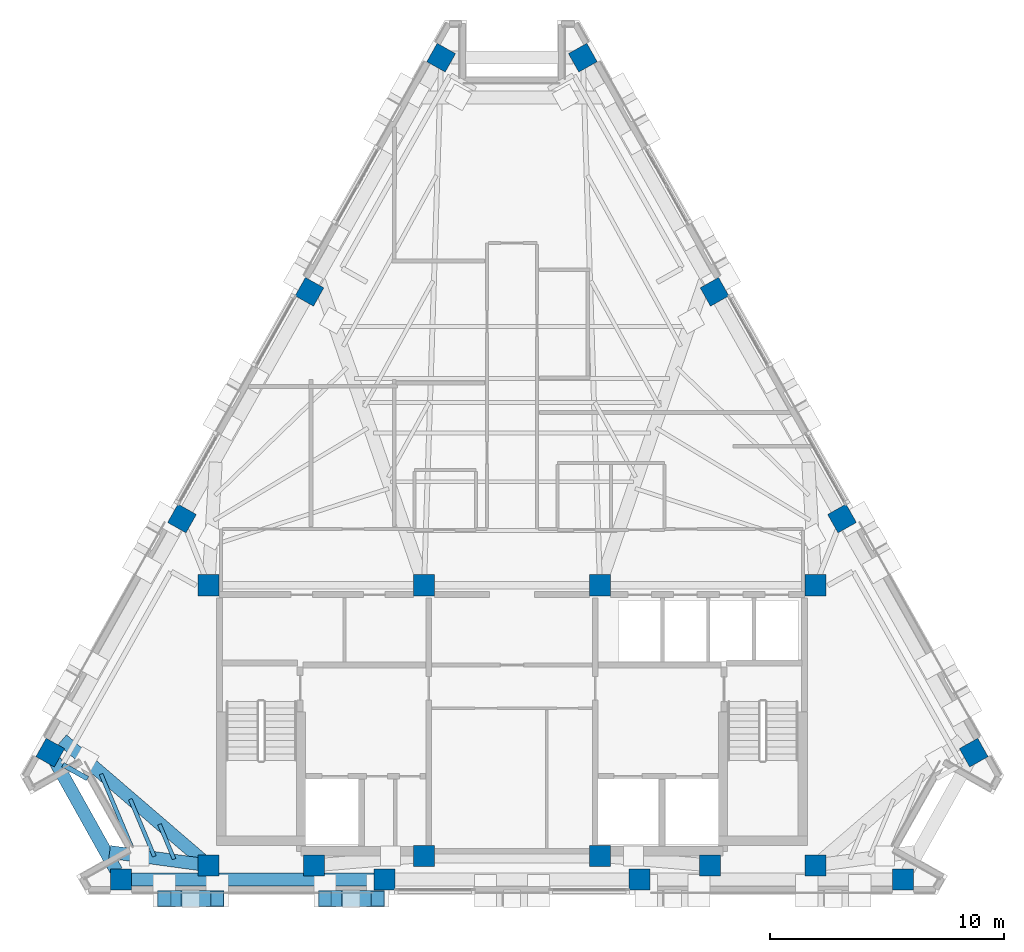
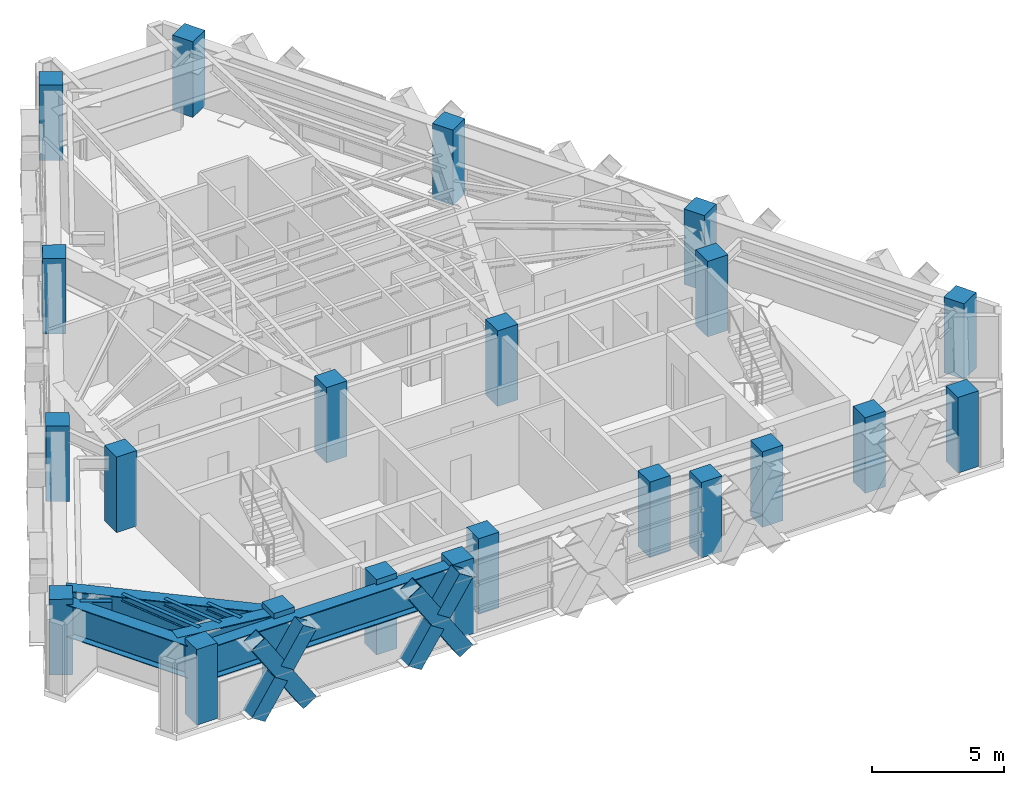
# One storey, part 1 of 13: 22 columns, 8 beams, 6 members.
"""IFC4 building model written with IfcOpenShell, lengths in metres."""

from ifc_helpers import new_model, si_unit, direction, frame, origin, origin_2d, place, context, subcontext, project, spatial, rectangle, hollow_rectangle, i_section, extrude, material, material_profile, profile_set, type_object, element, save


model = new_model("IFC4")

# Units and contexts
model_context = context("Model", 3, precision=1e-05, world=origin(), true_north=direction((0.0, 1.0)))
body_context = subcontext(model_context, "Body", "Model", "MODEL_VIEW")
ifc_project = project(units=[si_unit("LENGTHUNIT", "METRE"), si_unit("AREAUNIT", "SQUARE_METRE"), si_unit("VOLUMEUNIT", "CUBIC_METRE"), si_unit("PLANEANGLEUNIT", "RADIAN"), si_unit("MASSUNIT", "GRAM", prefix="KILO")], contexts=[model_context])

# Site, building, storey
site_placement = place(None, origin())
site = spatial("IfcSite", under=ifc_project, at=site_placement, CompositionType="ELEMENT")
building_placement = place(site_placement, origin())
building = spatial("IfcBuilding", under=site, at=building_placement, Name="Quenlor Broadcast Tower", CompositionType="ELEMENT")
storey_placement = place(building_placement, frame((0.0, 0.0, 225.39990234375)))
storey = spatial("IfcBuildingStorey", under=building, at=storey_placement, Name="L62", CompositionType="ELEMENT", Elevation=225.39990234375)

# Columns
ifc_material_1 = material(Name="Concrete C50/60", Category="concrete")
ifc_material_profile_1 = material_profile(ifc_material_1, rectangle(XDim=0.89990234375, YDim=0.89990234375, at=origin_2d()))
ifc_profile_set_1 = profile_set([ifc_material_profile_1], Name="Concrete C50/60 RC900x900")
column_type_1 = type_object("IfcColumnType", Name="Core Corner Column Upper Concrete C50/60 900", PredefinedType="COLUMN", material=ifc_profile_set_1)
for number, where, z_axis, x_axis, name in (
    (1, (-12.949951171875, -16.75, 0.0), (0.0, 0.0, 1.0), (1.0, 0.0, 0.0), "L62 Core Column CC1"),
    (2, (-8.449951171875, -16.75, 0.0), (0.0, 0.0, 1.0), (1.0, 0.0, 0.0), "L62 Core Column CC2"),
    (3, (-3.75, -16.35009765625, 0.0), (0.0, 0.0, 1.0), (1.0, 0.0, 0.0), "L62 Core Column CC3"),
    (4, (3.75, -16.35009765625, 0.0), (0.0, 0.0, 1.0), (1.0, 0.0, 0.0), "L62 Core Column CC4"),
    (5, (8.449951171875, -16.75, 0.0), (0.0, 0.0, 1.0), (1.0, 0.0, 0.0), "L62 Core Column CC5"),
    (6, (12.949951171875, -16.75, 0.0), (0.0, 0.0, 1.0), (1.0, 0.0, 0.0), "L62 Core Column CC6"),
    (7, (-12.949951171875, -4.800048828125, 0.0), (0.0, 0.0, 1.0), (1.0, 0.0, 0.0), "L62 Core Column CC7"),
    (8, (-3.75, -4.800048828125, 0.0), (0.0, 0.0, 1.0), (1.0, 0.0, 0.0), "L62 Core Column CC8"),
    (9, (3.75, -4.800048828125, 0.0), (0.0, 0.0, 1.0), (1.0, 0.0, 0.0), "L62 Core Column CC9"),
    (10, (12.949951171875, -4.800048828125, 0.0), (0.0, 0.0, 1.0), (1.0, 0.0, 0.0), "L62 Core Column CC10"),
):
    element("IfcColumn", number, at=place(storey_placement, frame(where, z_axis=z_axis, x_axis=x_axis)), inside=storey, type_object=column_type_1, Name=name, PredefinedType="COLUMN", context=body_context, shape_type="SweptSolid", body=[
        extrude(rectangle(XDim=0.89990234375, YDim=0.89990234375, at=origin_2d()), origin(), (0.0, 0.0, 1.0), 3.5),
    ])
ifc_material_2 = material(Name="Concrete C50/60", Category="concrete")
ifc_material_profile_2 = material_profile(ifc_material_2, rectangle(XDim=0.89990234375, YDim=0.89990234375, at=origin_2d()))
ifc_profile_set_2 = profile_set([ifc_material_profile_2], Name="Concrete C50/60 RC900x900")
column_type_2 = type_object("IfcColumnType", Name="Tower Perimeter Column Z4 Concrete C50/60 900", PredefinedType="COLUMN", material=ifc_profile_set_2)
for number, where, z_axis, x_axis, name in (
    (11, (-16.67578125, -17.35009765625, 0.0), (0.0, 0.0, 1.0), (0.0, 1.0, 0.0), "L62 Perimeter Column S1"),
    (12, (-5.437744140625, -17.35009765625, 0.0), (0.0, 0.0, 1.0), (0.0, 1.0, 0.0), "L62 Perimeter Column S2"),
    (13, (5.437744140625, -17.35009765625, 0.0), (0.0, 0.0, 1.0), (0.0, 1.0, 0.0), "L62 Perimeter Column S3"),
    (14, (16.67578125, -17.35009765625, 0.0), (0.0, 0.0, 1.0), (0.0, 1.0, 0.0), "L62 Perimeter Column S4"),
    (15, (19.696533203125, -11.941650390625, 0.0), (0.0, 0.0, 1.0), (0.871575139605, 0.490261946333, 0.0), "L62 Perimeter Column NE1"),
    (16, (14.077392578125, -1.952392578125, 0.0), (0.0, 0.0, 1.0), (0.871575139605, 0.490261946333, 0.0), "L62 Perimeter Column NE2"),
    (17, (8.6396484375, 7.71484375, 0.0), (0.0, 0.0, 1.0), (0.871575139605, 0.490261946333, 0.0), "L62 Perimeter Column NE3"),
    (18, (3.0205078125, 17.704345703125, 0.0), (0.0, 0.0, 1.0), (0.871575139605, 0.490261946333, 0.0), "L62 Perimeter Column NE4"),
    (19, (-3.0205078125, 17.704345703125, 0.0), (0.0, 0.0, 1.0), (-0.871575139605, 0.490261946333, 0.0), "L62 Perimeter Column NW1"),
    (20, (-8.6396484375, 7.71484375, 0.0), (0.0, 0.0, 1.0), (-0.871575139605, 0.490261946333, 0.0), "L62 Perimeter Column NW2"),
    (21, (-14.077392578125, -1.952392578125, 0.0), (0.0, 0.0, 1.0), (-0.871575139605, 0.490261946333, 0.0), "L62 Perimeter Column NW3"),
    (22, (-19.696533203125, -11.941650390625, 0.0), (0.0, 0.0, 1.0), (-0.871575139605, 0.490261946333, 0.0), "L62 Perimeter Column NW4"),
):
    element("IfcColumn", number, at=place(storey_placement, frame(where, z_axis=z_axis, x_axis=x_axis)), inside=storey, type_object=column_type_2, Name=name, PredefinedType="COLUMN", context=body_context, shape_type="SweptSolid", body=[
        extrude(rectangle(XDim=0.89990234375, YDim=0.89990234375, at=origin_2d()), origin(), (0.0, 0.0, 1.0), 3.5),
    ])

# Members
ifc_material_3 = material(Name="Steel S355", Category="steel")
ifc_material_profile_3 = material_profile(ifc_material_3, hollow_rectangle(XDim=0.679931640625, YDim=0.679931640625, WallThickness=0.02490234375, at=origin_2d()))
ifc_profile_set_3 = profile_set([ifc_material_profile_3], Name="Steel S355 RHS680x680x25")
member_type = type_object("IfcMemberType", Name="Perimeter Diagonal Lattice Brace Z3-Z4 Steel S355 RHS680x25", PredefinedType="BRACE", material=ifc_profile_set_3)
member_1_placement = place(storey_placement, frame((-5.722412109375, -18.169921875, -0.119873046875), z_axis=(-0.541794306908, 0.0, 0.840511111766), x_axis=(0.0, -1.0, 0.0)))
element("IfcMember", 23, at=member_1_placement, inside=storey, type_object=member_type, Name="L62 Perimeter Diamond Lattice S-C4XA", PredefinedType="BRACE", context=body_context, shape_type="SweptSolid", body=[
    extrude(hollow_rectangle(XDim=0.679931640625, YDim=0.679931640625, WallThickness=0.02490234375, at=origin_2d()), origin(), (0.0, 0.0, 1.0), 4.1640625),
])
member_2_placement = place(storey_placement, frame((-7.978515625, -18.169921875, -0.119873046875), z_axis=(0.54184151587, 0.0, 0.840480678945), x_axis=(0.0, 1.0, 0.0)))
element("IfcMember", 24, at=member_2_placement, inside=storey, type_object=member_type, Name="L62 Perimeter Diamond Lattice S-C4XB1", PredefinedType="BRACE", context=body_context, shape_type="SweptSolid", body=[
    extrude(hollow_rectangle(XDim=0.679931640625, YDim=0.679931640625, WallThickness=0.02490234375, at=origin_2d()), origin(), (0.0, 0.0, 1.0), 1.83203125),
])
member_3_placement = place(storey_placement, frame((-6.715087890625, -18.169921875, 1.840087890625), z_axis=(0.541780832962, 0.0, 0.840519796932), x_axis=(0.0, 1.0, 0.0)))
element("IfcMember", 25, at=member_3_placement, inside=storey, type_object=member_type, Name="L62 Perimeter Diamond Lattice S-C4XB2", PredefinedType="BRACE", context=body_context, shape_type="SweptSolid", body=[
    extrude(hollow_rectangle(XDim=0.679931640625, YDim=0.679931640625, WallThickness=0.02490234375, at=origin_2d()), origin(), (0.0, 0.0, 1.0), 1.832275390625),
])
member_4_placement = place(storey_placement, frame((-12.57275390625, -18.169921875, -0.119873046875), z_axis=(-0.541794306908, 0.0, 0.840511111766), x_axis=(0.0, -1.0, 0.0)))
element("IfcMember", 26, at=member_4_placement, inside=storey, type_object=member_type, Name="L62 Perimeter Diamond Lattice S-C5XA", PredefinedType="BRACE", context=body_context, shape_type="SweptSolid", body=[
    extrude(hollow_rectangle(XDim=0.679931640625, YDim=0.679931640625, WallThickness=0.02490234375, at=origin_2d()), origin(), (0.0, 0.0, 1.0), 4.1640625),
])
member_5_placement = place(storey_placement, frame((-14.828857421875, -18.169921875, -0.119873046875), z_axis=(0.54184151587, 0.0, 0.840480678945), x_axis=(0.0, 1.0, 0.0)))
element("IfcMember", 27, at=member_5_placement, inside=storey, type_object=member_type, Name="L62 Perimeter Diamond Lattice S-C5XB1", PredefinedType="BRACE", context=body_context, shape_type="SweptSolid", body=[
    extrude(hollow_rectangle(XDim=0.679931640625, YDim=0.679931640625, WallThickness=0.02490234375, at=origin_2d()), origin(), (0.0, 0.0, 1.0), 1.83203125),
])
member_6_placement = place(storey_placement, frame((-13.5654296875, -18.169921875, 1.840087890625), z_axis=(0.541780832962, 0.0, 0.840519796932), x_axis=(0.0, 1.0, 0.0)))
element("IfcMember", 28, at=member_6_placement, inside=storey, type_object=member_type, Name="L62 Perimeter Diamond Lattice S-C5XB2", PredefinedType="BRACE", context=body_context, shape_type="SweptSolid", body=[
    extrude(hollow_rectangle(XDim=0.679931640625, YDim=0.679931640625, WallThickness=0.02490234375, at=origin_2d()), origin(), (0.0, 0.0, 1.0), 1.832275390625),
])

# Beams
ifc_material_4 = material(Name="Steel S355", Category="steel")
ifc_material_profile_4 = material_profile(ifc_material_4, i_section(OverallWidth=0.208984375, OverallDepth=0.532958984375, WebThickness=0.01025390625, FlangeThickness=0.015625, FilletRadius=0.013916015625, at=origin_2d()))
ifc_profile_set_4 = profile_set([ifc_material_profile_4], Name="Steel S355 530UB92.4")
beam_type_1 = type_object("IfcBeamType", Name="Perimeter Spandrel Beam Z1 Steel S355 530UB92.4", PredefinedType="SPANDREL", material=ifc_profile_set_4)
beam_1_placement = place(storey_placement, frame((-18.104736328125, -13.050537109375, 2.983642578125), z_axis=(-0.871575537125, 0.490261239633, 0.0), x_axis=(-0.490261239633, -0.871575537125, 0.0)))
element("IfcBeam", 29, at=beam_1_placement, inside=storey, type_object=beam_type_1, Name="L62 Lattice Sill Radial Tie NWA1", PredefinedType="SPANDREL", context=body_context, shape_type="SweptSolid", body=[
    extrude(i_section(OverallWidth=0.208984375, OverallDepth=0.532958984375, WebThickness=0.01025390625, FlangeThickness=0.015625, FilletRadius=0.013916015625, at=origin_2d()), origin(), (0.0, 0.0, 1.0), 1.210205078125),
])
ifc_material_5 = material(Name="Steel S355", Category="steel")
ifc_material_profile_5 = material_profile(ifc_material_5, i_section(OverallWidth=0.166015625, OverallDepth=0.30712890625, WebThickness=0.006591796875, FlangeThickness=0.01171875, FilletRadius=0.011474609375, at=origin_2d()))
ifc_profile_set_5 = profile_set([ifc_material_profile_5], Name="Steel S355 310UB46.2")
beam_type_2 = type_object("IfcBeamType", Name="Tower Composite Joist Z4-Z5 Steel S355 310UB46.2", PredefinedType="JOIST", material=ifc_profile_set_5)
beam_2_placement = place(storey_placement, frame((-14.414306640625, -16.481689453125, 3.096435546875), z_axis=(-0.388226817564, 0.92156385461, 0.0), x_axis=(-0.92156385461, -0.388226817564, 0.0)))
element("IfcBeam", 30, at=beam_2_placement, inside=storey, type_object=beam_type_2, Name="L62 Secondary Composite Joist 19", PredefinedType="JOIST", context=body_context, shape_type="SweptSolid", body=[
    extrude(i_section(OverallWidth=0.166015625, OverallDepth=0.30712890625, WebThickness=0.006591796875, FlangeThickness=0.01171875, FilletRadius=0.011474609375, at=origin_2d()), origin(), (0.0, 0.0, 1.0), 1.606689453125),
])
beam_3_placement = place(storey_placement, frame((-15.257568359375, -16.3671875, 3.096435546875), z_axis=(-0.388254982909, 0.921551988901, 0.0), x_axis=(-0.921551988901, -0.388254982909, 0.0)))
element("IfcBeam", 31, at=beam_3_placement, inside=storey, type_object=beam_type_2, Name="L62 Secondary Composite Joist 20", PredefinedType="JOIST", context=body_context, shape_type="SweptSolid", body=[
    extrude(i_section(OverallWidth=0.166015625, OverallDepth=0.30712890625, WebThickness=0.006591796875, FlangeThickness=0.01171875, FilletRadius=0.011474609375, at=origin_2d()), origin(), (0.0, 0.0, 1.0), 2.64599609375),
])
beam_4_placement = place(storey_placement, frame((-16.1005859375, -16.2529296875, 3.096435546875), z_axis=(-0.388267262262, 0.921546815445, 0.0), x_axis=(-0.921546815445, -0.388267262262, 0.0)))
element("IfcBeam", 32, at=beam_4_placement, inside=storey, type_object=beam_type_2, Name="L62 Secondary Composite Joist 21", PredefinedType="JOIST", context=body_context, shape_type="SweptSolid", body=[
    extrude(i_section(OverallWidth=0.166015625, OverallDepth=0.30712890625, WebThickness=0.006591796875, FlangeThickness=0.01171875, FilletRadius=0.011474609375, at=origin_2d()), origin(), (0.0, 0.0, 1.0), 3.685302734375),
])
ifc_material_6 = material(Name="Steel S355", Category="steel")
ifc_material_profile_6 = material_profile(ifc_material_6, i_section(OverallWidth=0.550048828125, OverallDepth=1.5, WebThickness=0.02197265625, FlangeThickness=0.034912109375, FilletRadius=0.01806640625, at=origin_2d()))
ifc_profile_set_6 = profile_set([ifc_material_profile_6], Name="Steel S355 1500TG510")
beam_type_3 = type_object("IfcBeamType", Name="Zone Setback Transfer Girder Steel S355 1500", PredefinedType="BEAM", material=ifc_profile_set_6)
beam_5_placement = place(storey_placement, frame((-16.265869140625, -17.35009765625, 2.5), z_axis=(1.0, 0.0, 0.0), x_axis=(0.0, 1.0, 0.0)))
element("IfcBeam", 33, at=beam_5_placement, inside=storey, type_object=beam_type_3, Name="L62 Spandrel Beam S1-S2", PredefinedType="BEAM", context=body_context, shape_type="SweptSolid", body=[
    extrude(i_section(OverallWidth=0.550048828125, OverallDepth=1.5, WebThickness=0.02197265625, FlangeThickness=0.034912109375, FilletRadius=0.01806640625, at=origin_2d()), origin(), (0.0, 0.0, 1.0), 10.41796875),
])
beam_6_placement = place(storey_placement, frame((-19.49658203125, -12.2998046875, 2.5), z_axis=(0.487647250206, -0.8730407547, 0.0), x_axis=(0.8730407547, 0.487647250206, 0.0)))
element("IfcBeam", 34, at=beam_6_placement, inside=storey, type_object=beam_type_3, Name="L62 Spandrel Beam NW4-S1", PredefinedType="BEAM", context=body_context, shape_type="SweptSolid", body=[
    extrude(i_section(OverallWidth=0.550048828125, OverallDepth=1.5, WebThickness=0.02197265625, FlangeThickness=0.034912109375, FilletRadius=0.01806640625, at=origin_2d()), origin(), (0.0, 0.0, 1.0), 5.37451171875),
])
beam_7_placement = place(storey_placement, frame((-13.326416015625, -16.698974609375, 2.5), z_axis=(-0.990918147454, 0.134466445801, 0.0), x_axis=(-0.134466445801, -0.990918147454, 0.0)))
element("IfcBeam", 35, at=beam_7_placement, inside=storey, type_object=beam_type_3, Name="L62 Setback Transfer Girder S1", PredefinedType="BEAM", context=body_context, shape_type="SweptSolid", body=[
    extrude(i_section(OverallWidth=0.550048828125, OverallDepth=1.5, WebThickness=0.02197265625, FlangeThickness=0.034912109375, FilletRadius=0.01806640625, at=origin_2d()), origin(), (0.0, 0.0, 1.0), 3.87451171875),
])
beam_8_placement = place(storey_placement, frame((-13.238037109375, -16.502197265625, 2.5), z_axis=(-0.758167649058, 0.652059672056, 0.0), x_axis=(-0.652059672056, -0.758167649058, 0.0)))
element("IfcBeam", 36, at=beam_8_placement, inside=storey, type_object=beam_type_3, Name="L62 Setback Transfer Girder NW4", PredefinedType="BEAM", context=body_context, shape_type="SweptSolid", body=[
    extrude(i_section(OverallWidth=0.550048828125, OverallDepth=1.5, WebThickness=0.02197265625, FlangeThickness=0.034912109375, FilletRadius=0.01806640625, at=origin_2d()), origin(), (0.0, 0.0, 1.0), 7.84130859375),
])

save(model, "model.ifc")
